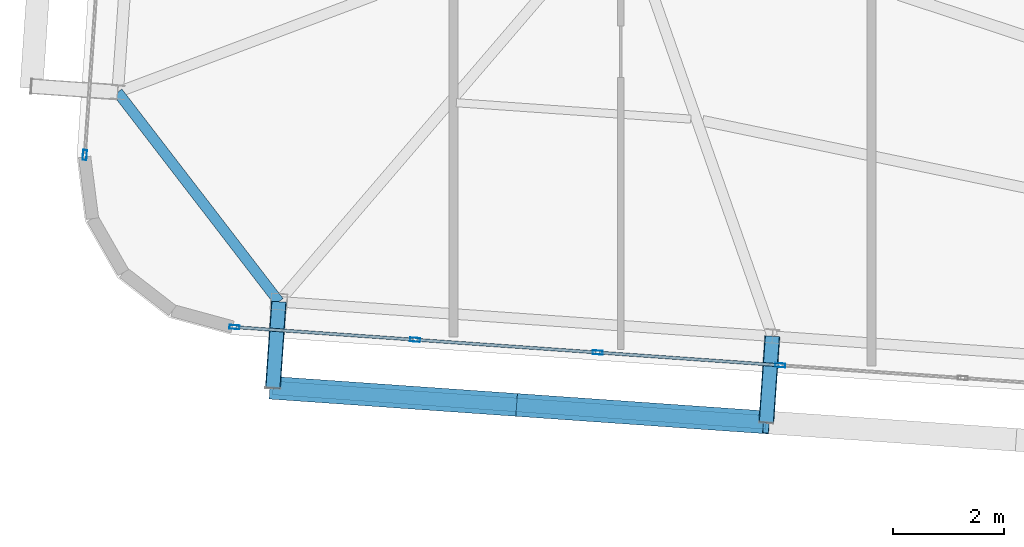
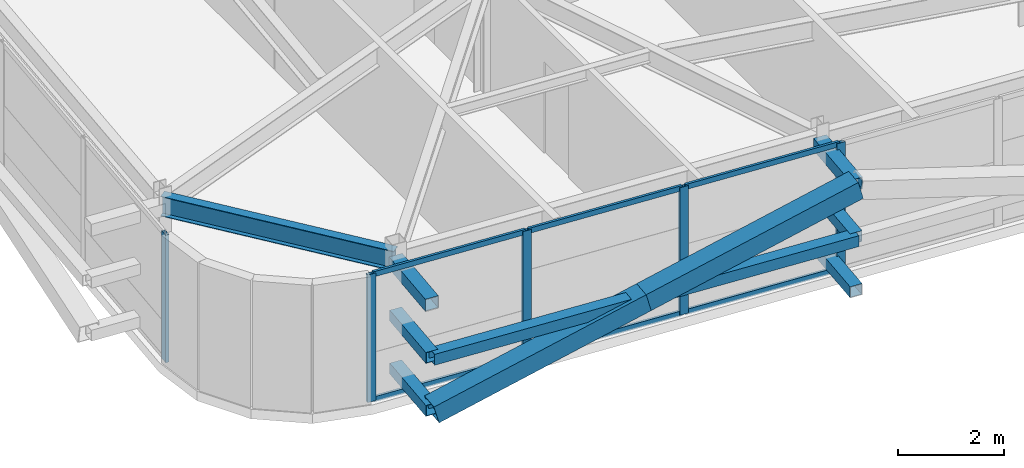
# One storey, part 6 of 47: 20 members, 1 beam, 2 elements without a shape of their own.
"""IFC4 building model written with IfcOpenShell, lengths in metres."""

from ifc_helpers import new_model, si_unit, direction, frame, origin, origin_2d, place, context, subcontext, project, spatial, hollow_rectangle, i_section, extrude, source, transform, mapped, material, layer, layer_set, material_profile, profile_set, type_object, element, aggregate, save


model = new_model("IFC4")

# Units and contexts
model_context = context("Model", 3, precision=1e-05, world=origin(), true_north=direction((0.0, 1.0)))
body_context = subcontext(model_context, "Body", "Model", "MODEL_VIEW")
ifc_project = project(units=[si_unit("LENGTHUNIT", "METRE"), si_unit("AREAUNIT", "SQUARE_METRE"), si_unit("VOLUMEUNIT", "CUBIC_METRE"), si_unit("PLANEANGLEUNIT", "RADIAN"), si_unit("MASSUNIT", "GRAM", prefix="KILO")], contexts=[model_context])

# Site, building, storey
site_placement = place(None, origin())
site = spatial("IfcSite", under=ifc_project, at=site_placement, CompositionType="ELEMENT")
building_placement = place(site_placement, origin())
building = spatial("IfcBuilding", under=site, at=building_placement, Name="Taldren Reach Tower", CompositionType="ELEMENT")
storey_placement = place(building_placement, frame((0.0, 0.0, 139.300048828125)))
storey = spatial("IfcBuildingStorey", under=building, at=storey_placement, Name="L42", CompositionType="ELEMENT", Elevation=139.300048828125)

# Members
ifc_material_1 = material(Name="Steel Gr 450 (C450L0)", Category="steel")
ifc_material_profile_1 = material_profile(ifc_material_1, hollow_rectangle(XDim=0.27490234375, YDim=0.27490234375, WallThickness=0.00927734375, at=origin_2d()), Name="275x275x9.3SHS")
ifc_profile_set_1 = profile_set([ifc_material_profile_1], Name="Steel Gr 450 (C450L0)")
member_type_1 = type_object("IfcMemberType", Name="MB-TIE273", PredefinedType="STRUT", material=ifc_profile_set_1)
shared_shape_1 = source(origin(), body_context, "Body", "SweptSolid", [
    extrude(hollow_rectangle(XDim=0.27490234375, YDim=0.27490234375, WallThickness=0.00927734375, at=origin_2d()), origin(), (0.0, 0.0, 1.0), 1.5498046875),
])
for number, where, z_axis, x_axis, name in (
    (1, (11.863525390625, 5.33837890625, 2.64990234375), (-0.069780535098, -0.997562367434, 0.0), (0.997562367434, -0.069780535098, 0.0), "Exoskeleton diaphragm tie strut B3-S1 L42"),
    (2, (20.721923828125, 4.718994140625, 2.64990234375), (-0.069780535098, -0.997562367434, 0.0), (0.997562367434, -0.069780535098, 0.0), "Exoskeleton diaphragm tie strut B3-S2 L42"),
):
    element("IfcMember", number, at=place(storey_placement, frame(where, z_axis=z_axis, x_axis=x_axis)), inside=storey, type_object=member_type_1, Name=name, PredefinedType="STRUT", context=body_context, shape_type="MappedRepresentation", body=[
        mapped(shared_shape_1, transform((0.0, 0.0, 0.0), scale=1.0)),
    ])
ifc_material_2 = material(Name="Steel Gr 350 (C350L0)", Category="steel")
ifc_material_profile_2 = material_profile(ifc_material_2, hollow_rectangle(XDim=0.25, YDim=0.25, WallThickness=0.010009765625, at=origin_2d()), Name="250x250x10.0SHS")
ifc_profile_set_2 = profile_set([ifc_material_profile_2], Name="Steel Gr 350 (C350L0)")
member_type_2 = type_object("IfcMemberType", Name="MB-POST250", PredefinedType="POST", material=ifc_profile_set_2)
shared_shape_2 = source(origin(), body_context, "Body", "SweptSolid", [
    extrude(hollow_rectangle(XDim=0.25, YDim=0.25, WallThickness=0.010009765625, at=origin_2d()), origin(), (0.0, 0.0, 1.0), 1.5498046875),
])
for number, where, z_axis, x_axis, name in (
    (3, (11.863525390625, 5.33837890625, 0.219970703125), (-0.069780535098, -0.997562367434, 0.0), (0.997562367434, -0.069780535098, 0.0), "Exoskeleton base diaphragm tie strut B3-S1 L42"),
    (4, (20.721923828125, 4.718994140625, 0.219970703125), (-0.069780535098, -0.997562367434, 0.0), (0.997562367434, -0.069780535098, 0.0), "Exoskeleton base diaphragm tie strut B3-S2 L42"),
    (5, (11.863525390625, 5.33837890625, 1.43505859375), (-0.069780535098, -0.997562367434, 0.0), (0.997562367434, -0.069780535098, 0.0), "Exoskeleton mid-tier diaphragm tie B3-S1 L42"),
    (6, (20.721923828125, 4.718994140625, 1.43505859375), (-0.069780535098, -0.997562367434, 0.0), (0.997562367434, -0.069780535098, 0.0), "Exoskeleton mid-tier diaphragm tie B3-S2 L42"),
):
    element("IfcMember", number, at=place(storey_placement, frame(where, z_axis=z_axis, x_axis=x_axis)), inside=storey, type_object=member_type_2, Name=name, PredefinedType="POST", context=body_context, shape_type="MappedRepresentation", body=[
        mapped(shared_shape_2, transform((0.0, 0.0, 0.0), scale=1.0)),
    ])

# Beam
ifc_material_3 = material(Name="Steel Gr 350 (350PLUS)", Category="steel")
ifc_material_profile_3 = material_profile(ifc_material_3, i_section(OverallWidth=0.18994140625, OverallDepth=0.4541015625, WebThickness=0.008544921875, FlangeThickness=0.0126953125, at=origin_2d()), Name="460UB67.1")
ifc_profile_set_3 = profile_set([ifc_material_profile_3], Name="Steel Gr 350 (350PLUS)")
beam_type = type_object("IfcBeamType", Name="SP-UB460B", PredefinedType="SPANDREL", material=ifc_profile_set_3)
shared_shape_3 = source(origin(), body_context, "Body", "SweptSolid", [
    extrude(i_section(OverallWidth=0.18994140625, OverallDepth=0.4541015625, WebThickness=0.008544921875, FlangeThickness=0.0126953125, at=origin_2d()), origin(), (0.0, 0.0, 1.0), 4.746337890625),
])
beam_placement = place(storey_placement, frame((8.96875, 9.099609375, 2.702880859375), z_axis=(0.609912099004, -0.792469072891, 0.0), x_axis=(0.792469072891, 0.609912099004, 0.0)))
element("IfcBeam", 7, at=beam_placement, inside=storey, type_object=beam_type, Name="Perimeter spandrel B3 W1-S1 L42", PredefinedType="SPANDREL", context=body_context, shape_type="MappedRepresentation", body=[
    mapped(shared_shape_3, transform((0.0, 0.0, 0.0), scale=1.0)),
])

# Members
shared_shape_4 = source(origin(), body_context, "Body", "SweptSolid", [
    extrude(hollow_rectangle(XDim=0.25, YDim=0.25, WallThickness=0.010009765625, at=origin_2d()), origin(), (0.0, 0.0, 1.0), 8.880126953125),
])
member_1_placement = place(storey_placement, frame((11.75537109375, 3.792236328125, 1.43505859375), z_axis=(0.997564479639, -0.069750333063, 0.0), x_axis=(0.069750333063, 0.997564479639, 0.0)))
element("IfcMember", 8, at=member_1_placement, inside=storey, type_object=member_type_2, Name="Exoskeleton mid-height ring chord B3-S1 L42", PredefinedType="POST", context=body_context, shape_type="MappedRepresentation", body=[
    mapped(shared_shape_4, transform((0.0, 0.0, 0.0), scale=1.0)),
])
ifc_material_profile_4 = material_profile(ifc_material_1, hollow_rectangle(XDim=0.409912109375, YDim=0.409912109375, WallThickness=0.01611328125, at=origin_2d()), Name="410x410x16.0SHS")
ifc_profile_set_4 = profile_set([ifc_material_profile_4], Name="Steel Gr 450 (C450L0)")
member_type_3 = type_object("IfcMemberType", Name="MB-EXO406", PredefinedType="BRACE", material=ifc_profile_set_4)
shared_shape_5 = source(origin(), body_context, "Body", "SweptSolid", [
    extrude(hollow_rectangle(XDim=0.409912109375, YDim=0.409912109375, WallThickness=0.01611328125, at=origin_2d()), origin(), (0.0, 0.0, 1.0), 4.603271484375),
])
for number, where, z_axis, x_axis, name in (
    (9, (11.75537109375, 3.792236328125, 0.219970703125), (0.962182351074, -0.067302910567, 0.263961060594), (0.06977769246, 0.997562566276, 0.0), "Exoskeleton Diagrid Brace B3-S1 L42"),
    (10, (16.1845703125, 3.482421875, 1.43505859375), (0.962199253371, -0.067251055742, 0.263912660389), (0.069722973508, 0.997566392259, 0.0), "Exoskeleton Diagrid Brace B3-S1 L42"),
):
    element("IfcMember", number, at=place(storey_placement, frame(where, z_axis=z_axis, x_axis=x_axis)), inside=storey, type_object=member_type_3, Name=name, PredefinedType="BRACE", context=body_context, shape_type="MappedRepresentation", body=[
        mapped(shared_shape_5, transform((0.0, 0.0, 0.0), scale=1.0)),
    ])

# Curtain wall, members
ifc_material_4 = material(Name="Aluminium and Low-E Glass Unitised System", Category="aluminium")
ifc_layer = layer(ifc_material_4, 0.159912109375)
ifc_layer_set = layer_set([ifc_layer], Name="Aluminium and Low-E Glass Unitised System")
curtain_wall_type = type_object("IfcCurtainWallType", Name="CW-SYS-4", PredefinedType="NOTDEFINED", material=ifc_layer_set)
curtain_wall_1_placement = place(storey_placement, origin())
curtain_wall_1 = element("IfcCurtainWall", 11, at=curtain_wall_1_placement, inside=storey, type_object=curtain_wall_type, Name="Unitised curtain wall CW-L42-S", PredefinedType="NOTDEFINED")
ifc_material_5 = material(Name="Anodised Aluminium 6063-T6", Category="aluminium")
ifc_material_profile_5 = material_profile(ifc_material_5, hollow_rectangle(XDim=0.070068359375, YDim=0.179931640625, WallThickness=0.00390625, at=origin_2d()), Name="ALU-180x70x4RHS")
ifc_profile_set_5 = profile_set([ifc_material_profile_5], Name="Anodised Aluminium 6063-T6")
member_type_4 = type_object("IfcMemberType", Name="CW-MUL-180", PredefinedType="MULLION", material=ifc_profile_set_5)
shared_shape_6 = source(origin(), body_context, "Body", "SweptSolid", [
    extrude(hollow_rectangle(XDim=0.070068359375, YDim=0.179931640625, WallThickness=0.00390625, at=origin_2d()), origin(), (0.0, 0.0, 1.0), 2.929931640625),
])
member_2_placement = place(storey_placement, frame((11.06494140625, 4.883056640625, 0.0), z_axis=(0.0, 0.0, 1.0), x_axis=(0.06975651593, 0.99756404731, 0.0)))
member_2 = element("IfcMember", 12, at=member_2_placement, type_object=member_type_4, Name="CW-4 mullion 1", PredefinedType="MULLION", context=body_context, shape_type="MappedRepresentation", body=[
    mapped(shared_shape_6, transform((0.0, 0.0, 0.0), scale=1.0)),
])
member_3_placement = place(storey_placement, frame((14.3076171875, 4.65625, 0.0), z_axis=(0.0, 0.0, 1.0), x_axis=(0.06975651593, 0.99756404731, 0.0)))
member_3 = element("IfcMember", 13, at=member_3_placement, type_object=member_type_4, Name="CW-4 mullion 2", PredefinedType="MULLION", context=body_context, shape_type="MappedRepresentation", body=[
    mapped(shared_shape_6, transform((0.0, 0.0, 0.0), scale=1.0)),
])
member_4_placement = place(storey_placement, frame((17.58544921875, 4.427001953125, 0.0), z_axis=(0.0, 0.0, 1.0), x_axis=(0.06975651593, 0.99756404731, 0.0)))
member_4 = element("IfcMember", 14, at=member_4_placement, type_object=member_type_4, Name="CW-4 mullion 3", PredefinedType="MULLION", context=body_context, shape_type="MappedRepresentation", body=[
    mapped(shared_shape_6, transform((0.0, 0.0, 0.0), scale=1.0)),
])
member_5_placement = place(storey_placement, frame((20.863037109375, 4.19775390625, 0.0), z_axis=(0.0, 0.0, 1.0), x_axis=(0.06975651593, 0.99756404731, 0.0)))
member_5 = element("IfcMember", 15, at=member_5_placement, type_object=member_type_4, Name="CW-4 mullion 4", PredefinedType="MULLION", context=body_context, shape_type="MappedRepresentation", body=[
    mapped(shared_shape_6, transform((0.0, 0.0, 0.0), scale=1.0)),
])

# Curtain wall, member
curtain_wall_2_placement = place(storey_placement, origin())
curtain_wall_2 = element("IfcCurtainWall", 16, at=curtain_wall_2_placement, inside=storey, type_object=curtain_wall_type, Name="Unitised curtain wall CW-L42-W", PredefinedType="NOTDEFINED")
member_6_placement = place(storey_placement, frame((8.37890625, 7.972900390625, 0.0), z_axis=(0.0, 0.0, 1.0), x_axis=(0.997564052812, -0.069756437251, 0.0)))
member_6 = element("IfcMember", 17, at=member_6_placement, type_object=member_type_4, Name="CW-4 mullion 9", PredefinedType="MULLION", context=body_context, shape_type="MappedRepresentation", body=[
    mapped(shared_shape_6, transform((0.0, 0.0, 0.0), scale=1.0)),
])
aggregate(curtain_wall_2, [member_6])

# Member
ifc_material_profile_6 = material_profile(ifc_material_5, hollow_rectangle(XDim=0.054931640625, YDim=0.1201171875, WallThickness=0.0029296875, at=origin_2d()), Name="ALU-120x55x3RHS")
ifc_profile_set_6 = profile_set([ifc_material_profile_6], Name="Anodised Aluminium 6063-T6")
member_type_5 = type_object("IfcMemberType", Name="CW-TRN-135", PredefinedType="USERDEFINED", material=ifc_profile_set_6)
shared_shape_7 = source(origin(), body_context, "Body", "SweptSolid", [
    extrude(hollow_rectangle(XDim=0.054931640625, YDim=0.1201171875, WallThickness=0.0029296875, at=origin_2d()), origin(), (0.0, 0.0, 1.0), 3.1806640625),
])
member_7_placement = place(storey_placement, frame((11.099853515625, 4.880615234375, 0.02734375), z_axis=(0.997562815426, -0.069774130442, 0.0), x_axis=(0.069774130442, 0.997562815426, 0.0)))
member_7 = element("IfcMember", 18, at=member_7_placement, type_object=member_type_5, Name="CW-4 transom 1.1", ObjectType="TRANSOM", PredefinedType="USERDEFINED", context=body_context, shape_type="MappedRepresentation", body=[
    mapped(shared_shape_7, transform((0.0, 0.0, 0.0), scale=1.0)),
])

member_8_placement = place(storey_placement, frame((11.099853515625, 4.880615234375, 2.90234375), z_axis=(0.997562815426, -0.069774130442, 0.0), x_axis=(0.069774130442, 0.997562815426, 0.0)))
member_8 = element("IfcMember", 19, at=member_8_placement, type_object=member_type_5, Name="CW-4 transom 1.2", ObjectType="TRANSOM", PredefinedType="USERDEFINED", context=body_context, shape_type="MappedRepresentation", body=[
    mapped(shared_shape_7, transform((0.0, 0.0, 0.0), scale=1.0)),
])

shared_shape_8 = source(origin(), body_context, "Body", "SweptSolid", [
    extrude(hollow_rectangle(XDim=0.054931640625, YDim=0.1201171875, WallThickness=0.0029296875, at=origin_2d()), origin(), (0.0, 0.0, 1.0), 3.2158203125),
])
member_9_placement = place(storey_placement, frame((14.342529296875, 4.65380859375, 0.02734375), z_axis=(0.997563195991, -0.069768689278, 0.0), x_axis=(0.069768689278, 0.997563195991, 0.0)))
member_9 = element("IfcMember", 20, at=member_9_placement, type_object=member_type_5, Name="CW-4 transom 2.1", ObjectType="TRANSOM", PredefinedType="USERDEFINED", context=body_context, shape_type="MappedRepresentation", body=[
    mapped(shared_shape_8, transform((0.0, 0.0, 0.0), scale=1.0)),
])

member_10_placement = place(storey_placement, frame((14.342529296875, 4.65380859375, 2.90234375), z_axis=(0.997563195991, -0.069768689278, 0.0), x_axis=(0.069768689278, 0.997563195991, 0.0)))
member_10 = element("IfcMember", 21, at=member_10_placement, type_object=member_type_5, Name="CW-4 transom 2.2", ObjectType="TRANSOM", PredefinedType="USERDEFINED", context=body_context, shape_type="MappedRepresentation", body=[
    mapped(shared_shape_8, transform((0.0, 0.0, 0.0), scale=1.0)),
])

shared_shape_9 = source(origin(), body_context, "Body", "SweptSolid", [
    extrude(hollow_rectangle(XDim=0.054931640625, YDim=0.1201171875, WallThickness=0.0029296875, at=origin_2d()), origin(), (0.0, 0.0, 1.0), 3.215576171875),
])
member_11_placement = place(storey_placement, frame((17.620361328125, 4.424560546875, 0.02734375), z_axis=(0.997562826405, -0.069773973473, 0.0), x_axis=(0.069773973473, 0.997562826405, 0.0)))
member_11 = element("IfcMember", 22, at=member_11_placement, type_object=member_type_5, Name="CW-4 transom 3.1", ObjectType="TRANSOM", PredefinedType="USERDEFINED", context=body_context, shape_type="MappedRepresentation", body=[
    mapped(shared_shape_9, transform((0.0, 0.0, 0.0), scale=1.0)),
])

member_12_placement = place(storey_placement, frame((17.620361328125, 4.424560546875, 2.90234375), z_axis=(0.997562826405, -0.069773973473, 0.0), x_axis=(0.069773973473, 0.997562826405, 0.0)))
member_12 = element("IfcMember", 23, at=member_12_placement, type_object=member_type_5, Name="CW-4 transom 3.2", ObjectType="TRANSOM", PredefinedType="USERDEFINED", context=body_context, shape_type="MappedRepresentation", body=[
    mapped(shared_shape_9, transform((0.0, 0.0, 0.0), scale=1.0)),
])

aggregate(curtain_wall_1, [member_2, member_3, member_4, member_5, member_7, member_8, member_9, member_10, member_11, member_12])

save(model, "model.ifc")
